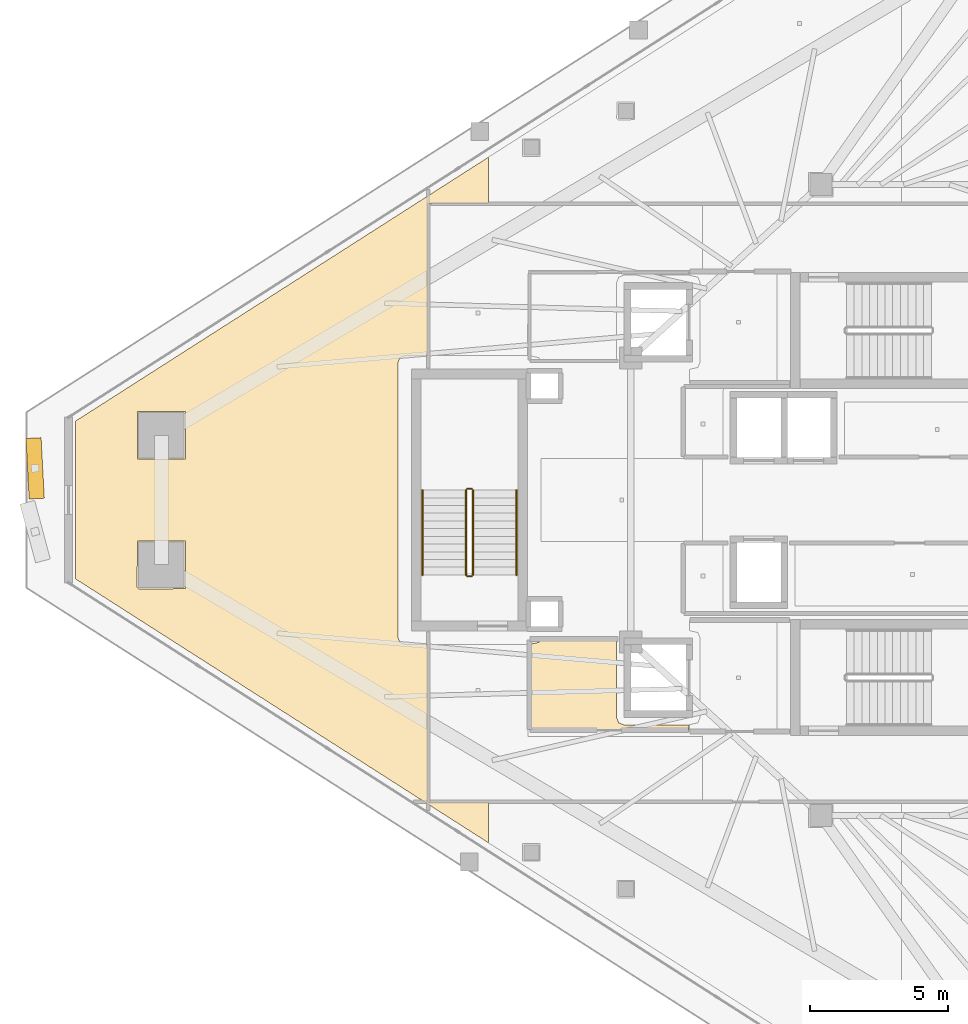
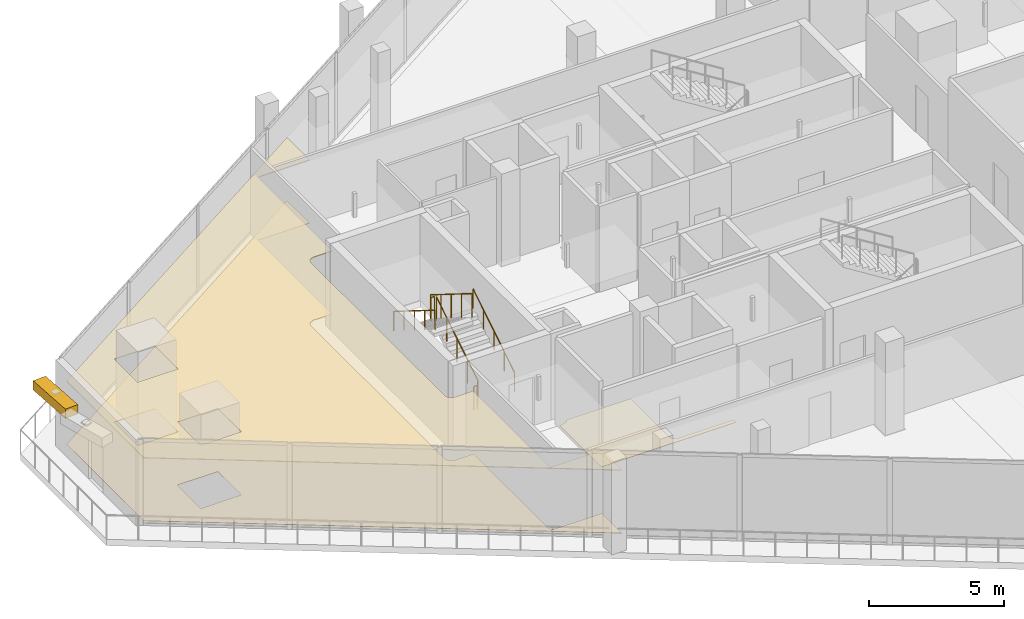
# One storey, part 30 of 34: 6 railings, 3 coverings, 1 shading device.
"""IFC4 building model written with IfcOpenShell, lengths in metres."""

from ifc_helpers import new_model, si_unit, direction, frame, origin, origin_2d, place, context, subcontext, project, spatial, polyline, rectangle, circle, outline, extrude, material, layer, layer_set, type_object, element, save


model = new_model("IFC4")

# Units and contexts
model_context = context("Model", 3, precision=1e-05, world=origin(), true_north=direction((0.0, 1.0)))
body_context = subcontext(model_context, "Body", "Model", "MODEL_VIEW")
ifc_project = project(units=[si_unit("LENGTHUNIT", "METRE"), si_unit("AREAUNIT", "SQUARE_METRE"), si_unit("VOLUMEUNIT", "CUBIC_METRE"), si_unit("PLANEANGLEUNIT", "RADIAN"), si_unit("MASSUNIT", "GRAM", prefix="KILO")], contexts=[model_context])

# Site, building, storey
site_placement = place(None, origin())
site = spatial("IfcSite", under=ifc_project, at=site_placement, CompositionType="ELEMENT")
building_placement = place(site_placement, origin())
building = spatial("IfcBuilding", under=site, at=building_placement, Name="Qorvath Tower", CompositionType="ELEMENT")
storey_placement = place(building_placement, frame((0.0, 0.0, 268.199951171875)))
storey = spatial("IfcBuildingStorey", under=building, at=storey_placement, Name="L62", CompositionType="ELEMENT", Elevation=268.199951171875)

# Coverings
ifc_material_1 = material(Name="Acoustic mineral fibre ceiling tile", Category="gypsum")
ifc_layer_1 = layer(ifc_material_1, 0.030029296875)
ifc_layer_set_1 = layer_set([ifc_layer_1], Name="COV-CEIL")
covering_type_1 = type_object("IfcCoveringType", Name="COV-CEIL", PredefinedType="CEILING", material=ifc_layer_set_1)
covering_1_placement = place(storey_placement, frame((0.0, 0.0, 2.85009765625)))
element("IfcCovering", 1, at=covering_1_placement, inside=storey, type_object=covering_type_1, Name="L62 Suspended Acoustic Ceiling 012", PredefinedType="CEILING", context=body_context, shape_type="SweptSolid", body=[
    extrude(outline(polyline([(-50.651123046875, -2.8662109375), (-35.662841796875, -12.44580078125), (-35.662841796875, -10.95849609375), (-37.863037109375, -10.9580078125), (-37.863037109375, -5.239990234375), (-38.699951171875, -5.239990234375), (-38.876708984375, -5.166748046875), (-38.949951171875, -4.989990234375), (-38.949951171875, 4.989990234375), (-38.876708984375, 5.166748046875), (-38.699951171875, 5.239990234375), (-37.863037109375, 5.239990234375), (-37.861572265625, 10.761474609375), (-35.662841796875, 10.76171875), (-35.662841796875, 12.44580078125), (-50.651123046875, 2.8662109375), (-50.651123046875, -2.8662109375)]), holes=[polyline([(-48.422607421875, -3.174560546875), (-48.405029296875, -1.482177734375), (-46.670166015625, -1.482177734375), (-46.670166015625, -3.217041015625), (-48.362548828125, -3.234619140625), (-48.422607421875, -3.174560546875)]), polyline([(-48.405029296875, 1.482177734375), (-48.405029296875, 3.217041015625), (-46.670166015625, 3.217041015625), (-46.670166015625, 1.482177734375), (-48.405029296875, 1.482177734375)])]), origin(), (0.0, 0.0, 1.0), 0.030029296875),
])
ifc_material_2 = material(Name="Low-VOC modular carpet tile", Category="textile")
ifc_layer_2 = layer(ifc_material_2, 0.014892578125)
ifc_layer_set_2 = layer_set([ifc_layer_2], Name="COV-FLOOR-CPT")
covering_type_2 = type_object("IfcCoveringType", Name="COV-FLOOR-CPT", PredefinedType="FLOORING", material=ifc_layer_set_2)
covering_2_placement = place(storey_placement, origin())
element("IfcCovering", 2, at=covering_2_placement, inside=storey, type_object=covering_type_2, Name="L62 Floor Finish 008", PredefinedType="FLOORING", context=body_context, shape_type="SweptSolid", body=[
    extrude(outline(polyline([(-33.786865234375, -5.054931640625), (-33.833251953125, -5.166748046875), (-34.175048828125, -5.239990234375), (-34.175048828125, -8.344970703125), (-28.39306640625, -8.344970703125), (-28.39306640625, -8.159912109375), (-30.760009765625, -8.159912109375), (-30.936767578125, -8.086669921875), (-31.010009765625, -7.909912109375), (-31.010009765625, -5.054931640625), (-33.786865234375, -5.054931640625)])), origin(), (0.0, 0.0, 1.0), 0.01513671875),
])
covering_3_placement = place(storey_placement, origin())
element("IfcCovering", 3, at=covering_3_placement, inside=storey, type_object=covering_type_2, Name="L62 Floor Finish 012", PredefinedType="FLOORING", context=body_context, shape_type="SweptSolid", body=[
    extrude(outline(polyline([(-50.651123046875, -2.8662109375), (-35.662841796875, -12.44580078125), (-35.662841796875, -10.95849609375), (-37.863037109375, -10.9580078125), (-37.863037109375, -5.239990234375), (-38.699951171875, -5.239990234375), (-38.876708984375, -5.166748046875), (-38.949951171875, -4.989990234375), (-38.949951171875, 4.989990234375), (-38.876708984375, 5.166748046875), (-38.699951171875, 5.239990234375), (-37.863037109375, 5.239990234375), (-37.861572265625, 10.761474609375), (-35.662841796875, 10.76171875), (-35.662841796875, 12.44580078125), (-50.651123046875, 2.8662109375), (-50.651123046875, -2.8662109375)]), holes=[polyline([(-48.422607421875, -3.174560546875), (-48.405029296875, -1.482177734375), (-46.670166015625, -1.482177734375), (-46.670166015625, -3.217041015625), (-48.362548828125, -3.234619140625), (-48.422607421875, -3.174560546875)]), polyline([(-48.405029296875, 1.482177734375), (-48.405029296875, 3.217041015625), (-46.670166015625, 3.217041015625), (-46.670166015625, 1.482177734375), (-48.405029296875, 1.482177734375)])]), origin(), (0.0, 0.0, 1.0), 0.01513671875),
])

# Railings
ifc_material_3 = material(Name="Painted galvanised steel", Category="steel")
railing_type_1 = type_object("IfcRailingType", Name="RL-STR-GRD", PredefinedType="GUARDRAIL", material=ifc_material_3)
railing_1_placement = place(storey_placement, frame((-36.22998046875, -2.719970703125, 0.175048828125)))
element("IfcRailing", 4, at=railing_1_placement, inside=storey, type_object=railing_type_1, Name="L62 TS3 stair guard 1", PredefinedType="GUARDRAIL", context=body_context, shape_type="SweptSolid", body=[
    extrude(circle(Radius=0.02392578125, at=origin_2d()), frame((0.0, 0.0, 1.076171875), z_axis=(0.0, 0.847998304005, 0.529998940003), x_axis=(-1.0, 0.0, 0.0)), (0.0, 0.0, 1.0), 3.632080078125),
    extrude(circle(Radius=0.02099609375, at=origin_2d()), origin(), (0.0, 0.0, 1.0), 1.052001953125),
    extrude(circle(Radius=0.02099609375, at=origin_2d()), frame((0.0, 0.77001953125, 0.481201171875)), (0.0, 0.0, 1.0), 1.052001953125),
    extrude(circle(Radius=0.02099609375, at=origin_2d()), frame((0.0, 1.5400390625, 0.96240234375)), (0.0, 0.0, 1.0), 1.052001953125),
    extrude(circle(Radius=0.02099609375, at=origin_2d()), frame((0.0, 2.31005859375, 1.44384765625)), (0.0, 0.0, 1.0), 1.052001953125),
    extrude(circle(Radius=0.02099609375, at=origin_2d()), frame((0.0, 3.080078125, 1.925048828125)), (0.0, 0.0, 1.0), 1.052001953125),
])
railing_2_placement = place(storey_placement, frame((-36.280029296875, 0.409912109375, 2.10009765625)))
element("IfcRailing", 5, at=railing_2_placement, inside=storey, type_object=railing_type_1, Name="L62 TS3 stair guard 2", PredefinedType="GUARDRAIL", context=body_context, shape_type="SweptSolid", body=[
    extrude(circle(Radius=0.02392578125, at=origin_2d()), frame((0.0, 0.0, 1.076171875), z_axis=(-1.0, 0.0, 0.0), x_axis=(0.0, -1.0, 0.0)), (0.0, 0.0, 1.0), 0.14990234375),
    extrude(circle(Radius=0.02099609375, at=origin_2d()), origin(), (0.0, 0.0, 1.0), 1.052001953125),
    extrude(circle(Radius=0.02099609375, at=origin_2d()), frame((-0.14990234375, 0.0, 0.0)), (0.0, 0.0, 1.0), 1.052001953125),
])
railing_3_placement = place(storey_placement, frame((-36.47998046875, 0.360107421875, 2.275146484375)))
element("IfcRailing", 6, at=railing_3_placement, inside=storey, type_object=railing_type_1, Name="L62 TS3 stair guard 3", PredefinedType="GUARDRAIL", context=body_context, shape_type="SweptSolid", body=[
    extrude(circle(Radius=0.02392578125, at=origin_2d()), frame((0.0, 0.0, 1.076171875), z_axis=(0.0, -0.848028513186, 0.529950602248), x_axis=(1.0, 0.0, 0.0)), (0.0, 0.0, 1.0), 3.632080078125),
    extrude(circle(Radius=0.02099609375, at=origin_2d()), origin(), (0.0, 0.0, 1.0), 1.052001953125),
    extrude(circle(Radius=0.02099609375, at=origin_2d()), frame((0.0, -0.77001953125, 0.481201171875)), (0.0, 0.0, 1.0), 1.052001953125),
    extrude(circle(Radius=0.02099609375, at=origin_2d()), frame((0.0, -1.5400390625, 0.96240234375)), (0.0, 0.0, 1.0), 1.052001953125),
    extrude(circle(Radius=0.02099609375, at=origin_2d()), frame((0.0, -2.31005859375, 1.443603515625)), (0.0, 0.0, 1.0), 1.052001953125),
    extrude(circle(Radius=0.02099609375, at=origin_2d()), frame((0.0, -3.080078125, 1.9248046875)), (0.0, 0.0, 1.0), 1.052001953125),
])
railing_4_placement = place(storey_placement, frame((-36.280029296875, -2.77001953125, 0.0)))
element("IfcRailing", 7, at=railing_4_placement, inside=storey, type_object=railing_type_1, Name="L62 TS3 stair guard 4", PredefinedType="GUARDRAIL", context=body_context, shape_type="SweptSolid", body=[
    extrude(circle(Radius=0.02392578125, at=origin_2d()), frame((0.0, 0.0, 1.076171875), z_axis=(-1.0, 0.0, 0.0), x_axis=(0.0, -1.0, 0.0)), (0.0, 0.0, 1.0), 0.14990234375),
    extrude(circle(Radius=0.02099609375, at=origin_2d()), origin(), (0.0, 0.0, 1.0), 1.052001953125),
    extrude(circle(Radius=0.02099609375, at=origin_2d()), frame((-0.14990234375, 0.0, 0.0)), (0.0, 0.0, 1.0), 1.052001953125),
])
ifc_material_4 = material(Name="Brushed stainless steel AISI 304", Category="steel")
railing_type_2 = type_object("IfcRailingType", Name="RL-STR-HND", PredefinedType="HANDRAIL", material=ifc_material_4)
railing_5_placement = place(storey_placement, frame((-34.64990234375, -2.719970703125, 0.175048828125)))
element("IfcRailing", 8, at=railing_5_placement, inside=storey, type_object=railing_type_2, Name="L62 TS3 stair handrail 1", PredefinedType="HANDRAIL", context=body_context, shape_type="SweptSolid", body=[
    extrude(circle(Radius=0.02392578125, at=origin_2d()), frame((0.0, 0.0, 0.8759765625), z_axis=(0.0, 0.847998304005, 0.529998940003), x_axis=(-1.0, 0.0, 0.0)), (0.0, 0.0, 1.0), 3.632080078125),
    extrude(circle(Radius=0.02099609375, at=origin_2d()), origin(), (0.0, 0.0, 1.0), 0.851806640625),
    extrude(circle(Radius=0.02099609375, at=origin_2d()), frame((0.0, 0.77001953125, 0.481201171875)), (0.0, 0.0, 1.0), 0.851806640625),
    extrude(circle(Radius=0.02099609375, at=origin_2d()), frame((0.0, 1.5400390625, 0.96240234375)), (0.0, 0.0, 1.0), 0.851806640625),
    extrude(circle(Radius=0.02099609375, at=origin_2d()), frame((0.0, 2.31005859375, 1.44384765625)), (0.0, 0.0, 1.0), 0.851806640625),
    extrude(circle(Radius=0.02099609375, at=origin_2d()), frame((0.0, 3.080078125, 1.925048828125)), (0.0, 0.0, 1.0), 0.851806640625),
])
railing_6_placement = place(storey_placement, frame((-38.06005859375, 0.360107421875, 2.275146484375)))
element("IfcRailing", 9, at=railing_6_placement, inside=storey, type_object=railing_type_2, Name="L62 TS3 stair handrail 2", PredefinedType="HANDRAIL", context=body_context, shape_type="SweptSolid", body=[
    extrude(circle(Radius=0.02392578125, at=origin_2d()), frame((0.0, 0.0, 0.8759765625), z_axis=(0.0, -0.848028513186, 0.529950602248), x_axis=(1.0, 0.0, 0.0)), (0.0, 0.0, 1.0), 3.632080078125),
    extrude(circle(Radius=0.02099609375, at=origin_2d()), origin(), (0.0, 0.0, 1.0), 0.851806640625),
    extrude(circle(Radius=0.02099609375, at=origin_2d()), frame((0.0, -0.77001953125, 0.481201171875)), (0.0, 0.0, 1.0), 0.851806640625),
    extrude(circle(Radius=0.02099609375, at=origin_2d()), frame((0.0, -1.5400390625, 0.96240234375)), (0.0, 0.0, 1.0), 0.851806640625),
    extrude(circle(Radius=0.02099609375, at=origin_2d()), frame((0.0, -2.31005859375, 1.443603515625)), (0.0, 0.0, 1.0), 0.851806640625),
    extrude(circle(Radius=0.02099609375, at=origin_2d()), frame((0.0, -3.080078125, 1.9248046875)), (0.0, 0.0, 1.0), 0.851806640625),
])

# Shading device
ifc_material_5 = material(Name="Anodised bronze-champagne aluminium", Category="aluminium")
shading_device_type = type_object("IfcShadingDeviceType", Name="SD-LOUVRE", PredefinedType="JALOUSIE", material=ifc_material_5)
shading_device_placement = place(storey_placement, frame((-52.121337890625, 1.14892578125, 3.490234375), z_axis=(0.0, 0.0, 1.0), x_axis=(0.052829201106, -0.998603562737, 0.0)))
element("IfcShadingDevice", 10, at=shading_device_placement, inside=storey, type_object=shading_device_type, Name="Sinusoidal Wave Louvre Blade L62-01", PredefinedType="NOTDEFINED", context=body_context, shape_type="SweptSolid", body=[
    extrude(rectangle(XDim=2.199951171875, YDim=0.550048828125, at=origin_2d()), origin(), (0.0, 0.0, 1.0), 0.419921875),
])

save(model, "model.ifc")
